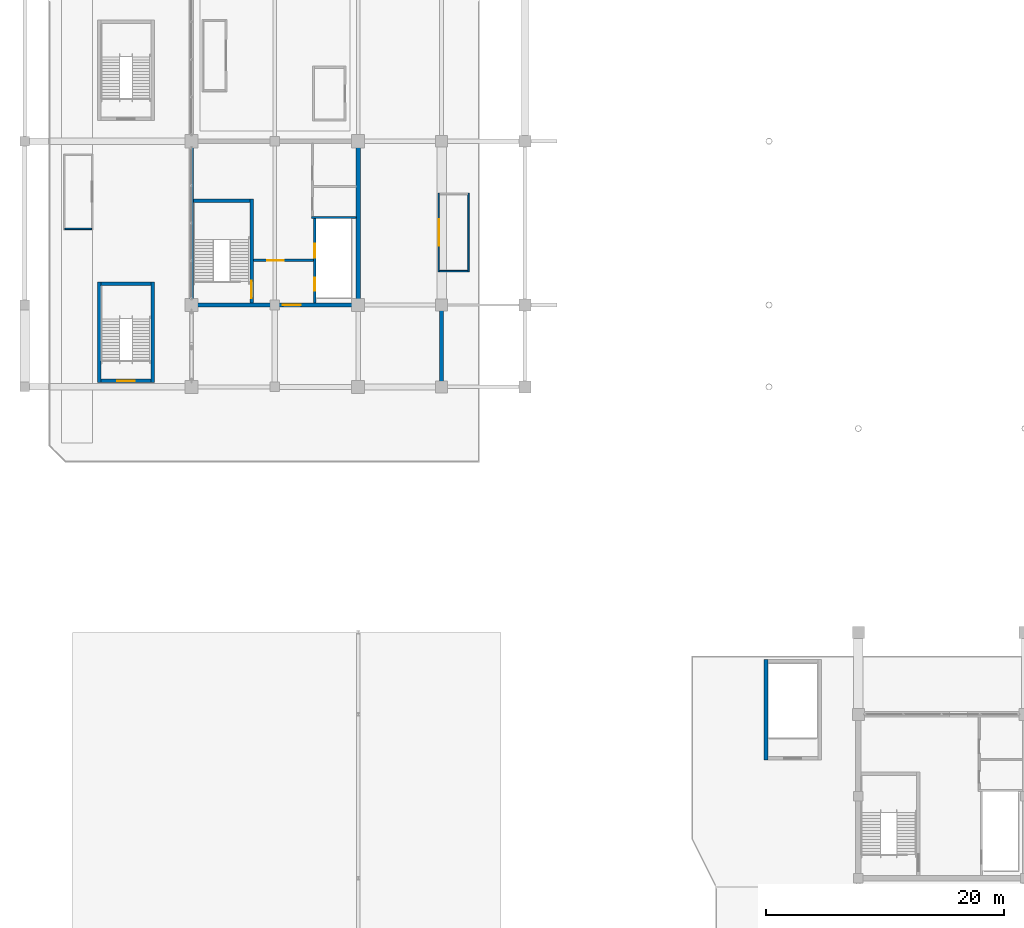
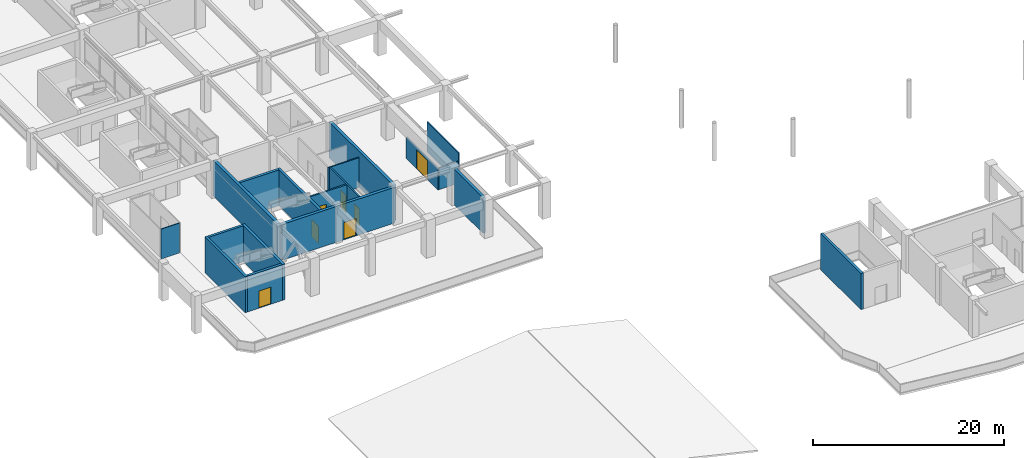
# One storey, part 63 of 91: 18 walls, 7 doors, 7 openings.
"""IFC4 building model written with IfcOpenShell, lengths in metres."""

from ifc_helpers import new_model, si_unit, direction, frame, frame_2d, origin, place, context, subcontext, project, spatial, rectangle, extrude, material, layer, layer_set, type_object, element, fill, save


model = new_model("IFC4")

# Units and contexts
model_context = context("Model", 3, precision=1e-05, world=origin(), true_north=direction((0.0, 1.0)))
body_context = subcontext(model_context, "Body", "Model", "MODEL_VIEW")
ifc_project = project(units=[si_unit("LENGTHUNIT", "METRE"), si_unit("AREAUNIT", "SQUARE_METRE"), si_unit("VOLUMEUNIT", "CUBIC_METRE"), si_unit("PLANEANGLEUNIT", "RADIAN"), si_unit("MASSUNIT", "GRAM", prefix="KILO")], contexts=[model_context])

# Site, building, storey
site_placement = place(None, origin())
site = spatial("IfcSite", under=ifc_project, at=site_placement, CompositionType="ELEMENT")
building_placement = place(site_placement, origin())
building = spatial("IfcBuilding", under=site, at=building_placement, Name="Linyun Crest Stadium", CompositionType="ELEMENT")
storey_placement = place(building_placement, frame((0.0, 0.0, 11.39990234375)))
storey = spatial("IfcBuildingStorey", under=building, at=storey_placement, Name="L03", CompositionType="ELEMENT", Elevation=11.39990234375)

# Walls
ifc_material_1 = material(Name="Concrete C50", Category="concrete")
ifc_layer_1 = layer(ifc_material_1, 0.35009765625)
ifc_layer_set_1 = layer_set([ifc_layer_1], Name="Concrete C50")
wall_type_1 = type_object("IfcWallType", Name="CW01", PredefinedType="SHEAR", material=ifc_layer_set_1)
for number, where, z_axis, x_axis, name in (
    (1, (-84.0, -38.949951171875, 0.0), (0.0, 0.0, 1.0), (0.0, 1.0, 0.0), "Core shear wall CW01 CORE-W1 L03.1"),
    (2, (-70.0, -38.949951171875, 0.0), (0.0, 0.0, 1.0), (0.0, 1.0, 0.0), "Core shear wall CW01 CORE-W1 L03.2"),
):
    element("IfcWall", number, at=place(storey_placement, frame(where, z_axis=z_axis, x_axis=x_axis)), inside=storey, type_object=wall_type_1, Name=name, PredefinedType="SHEAR", context=body_context, shape_type="SweptSolid", body=[
        extrude(rectangle(XDim=13.39990234375, YDim=0.35009765625, at=frame_2d((6.699951171875, 0.0))), origin(), (0.0, 0.0, 1.0), 4.580078125),
    ])

# Wall, opening, door
wall_1_placement = place(storey_placement, frame((-83.824951171875, -39.125, 0.0), z_axis=(0.0, 0.0, 1.0), x_axis=(1.0, 0.0, 0.0)))
wall_1 = element("IfcWall", 3, at=wall_1_placement, inside=storey, type_object=wall_type_1, Name="Core shear wall CW01 CORE-W1 L03.3", PredefinedType="SHEAR", context=body_context, shape_type="SweptSolid", body=[
    extrude(rectangle(XDim=13.64990234375, YDim=0.35009765625, at=frame_2d((6.824951171875, 0.0))), origin(), (0.0, 0.0, 1.0), 4.580078125),
])
opening_1_placement = place(wall_1_placement, frame((7.508056640625, 0.0, 0.0)))
opening_1 = element("IfcOpeningElement", 4, at=opening_1_placement, cuts=wall_1, Name="Opening D-L03-022", PredefinedType="OPENING", context=body_context, shape_type="SweptSolid", body=[
    extrude(rectangle(XDim=1.5, YDim=2.199951171875, at=frame_2d((0.75, 1.10009765625))), frame((0.0, 0.18505859375, 0.0), z_axis=(0.0, -1.0, 0.0), x_axis=(1.0, 0.0, 0.0)), (0.0, 0.0, 1.0), 0.3701171875),
])
ifc_material_2 = material(Name="Galvanized steel Class A fire door", Category="steel")
ifc_layer_2 = layer(ifc_material_2, 0.054931640625)
ifc_layer_set_2 = layer_set([ifc_layer_2], Name="Galvanized steel Class A fire door")
door_type_1 = type_object("IfcDoorType", Name="FD01", OperationType="NOTDEFINED", PredefinedType="DOOR", material=ifc_layer_set_2)
door_1_placement = place(opening_1_placement, origin())
door_1 = element("IfcDoor", 5, at=door_1_placement, inside=storey, type_object=door_type_1, Name="Door D-L03-022", OperationType="SINGLE_SWING_RIGHT", OverallHeight=2.199951171875, OverallWidth=1.5, PredefinedType="DOOR", context=body_context, shape_type="SweptSolid", body=[
    extrude(rectangle(XDim=1.5, YDim=2.199951171875, at=frame_2d((0.75, 1.10009765625))), frame((0.0, 0.02490234375, 0.0), z_axis=(0.0, -1.0, 0.0), x_axis=(1.0, 0.0, 0.0)), (0.0, 0.0, 1.0), 0.050048828125),
])
fill(opening_1, door_1)

ifc_material_3 = material(Name="Autoclaved aerated concrete block with fireboard", Category="concrete")
ifc_layer_3 = layer(ifc_material_3, 0.199951171875)
ifc_layer_set_3 = layer_set([ifc_layer_3], Name="Autoclaved aerated concrete block with fireboard")
wall_type_2 = type_object("IfcWallType", Name="PW11", PredefinedType="PARTITIONING", material=ifc_layer_set_3)
wall_2_placement = place(storey_placement, frame((-78.800048828125, -35.375, 0.0), z_axis=(0.0, 0.0, 1.0), x_axis=(1.0, 0.0, 0.0)))
wall_2 = element("IfcWall", 6, at=wall_2_placement, inside=storey, type_object=wall_type_2, Name="Partition PW11 L03 10", PredefinedType="PARTITIONING", context=body_context, shape_type="SweptSolid", body=[
    extrude(rectangle(XDim=5.06005859375, YDim=0.199951171875, at=frame_2d((2.530029296875, 0.0))), origin(), (0.0, 0.0, 1.0), 3.820068359375),
])
opening_2_placement = place(wall_2_placement, frame((1.169921875, 0.0, 0.0)))
opening_2 = element("IfcOpeningElement", 7, at=opening_2_placement, cuts=wall_2, Name="Opening D-L03-024", PredefinedType="OPENING", context=body_context, shape_type="SweptSolid", body=[
    extrude(rectangle(XDim=1.39990234375, YDim=2.199951171875, at=frame_2d((0.699951171875, 1.10009765625))), frame((0.0, 0.10986328125, 0.0), z_axis=(0.0, -1.0, 0.0), x_axis=(1.0, 0.0, 0.0)), (0.0, 0.0, 1.0), 0.219970703125),
])
ifc_material_4 = material(Name="Galvanized steel Class B fire door", Category="steel")
ifc_layer_4 = layer(ifc_material_4, 0.054931640625)
ifc_layer_set_4 = layer_set([ifc_layer_4], Name="Galvanized steel Class B fire door")
door_type_2 = type_object("IfcDoorType", Name="FD03", OperationType="NOTDEFINED", PredefinedType="DOOR", material=ifc_layer_set_4)
door_2_placement = place(opening_2_placement, origin())
door_2 = element("IfcDoor", 8, at=door_2_placement, inside=storey, type_object=door_type_2, Name="Door D-L03-024", OperationType="SINGLE_SWING_RIGHT", OverallHeight=2.199951171875, OverallWidth=1.39990234375, PredefinedType="DOOR", context=body_context, shape_type="SweptSolid", body=[
    extrude(rectangle(XDim=1.39990234375, YDim=2.199951171875, at=frame_2d((0.699951171875, 1.10009765625))), frame((0.0, 0.02490234375, 0.0), z_axis=(0.0, -1.0, 0.0), x_axis=(1.0, 0.0, 0.0)), (0.0, 0.0, 1.0), 0.050048828125),
])
fill(opening_2, door_2)

# Wall, openings, doors
ifc_material_5 = material(Name="Autoclaved aerated concrete block fire partition", Category="concrete")
ifc_layer_5 = layer(ifc_material_5, 0.179931640625)
ifc_layer_set_5 = layer_set([ifc_layer_5], Name="Autoclaved aerated concrete block fire partition")
wall_type_3 = type_object("IfcWallType", Name="PW12", PredefinedType="PARTITIONING", material=ifc_layer_set_5)
wall_3_placement = place(storey_placement, frame((-73.64990234375, -38.949951171875, 0.0), z_axis=(0.0, 0.0, 1.0), x_axis=(0.0, 1.0, 0.0)))
wall_3 = element("IfcWall", 9, at=wall_3_placement, inside=storey, type_object=wall_type_3, Name="Partition PW12 L03 11", PredefinedType="PARTITIONING", context=body_context, shape_type="SweptSolid", body=[
    extrude(rectangle(XDim=7.10498046875, YDim=0.179931640625, at=frame_2d((3.552490234375, 0.0))), origin(), (0.0, 0.0, 1.0), 3.820068359375),
])
opening_3_placement = place(wall_3_placement, frame((1.02490234375, 0.0, 0.0)))
opening_3 = element("IfcOpeningElement", 10, at=opening_3_placement, cuts=wall_3, Name="Opening LD007", PredefinedType="OPENING", context=body_context, shape_type="SweptSolid", body=[
    extrude(rectangle(XDim=1.10009765625, YDim=2.199951171875, at=frame_2d((0.550048828125, 1.10009765625))), frame((0.0, 0.099853515625, 0.0), z_axis=(0.0, -1.0, 0.0), x_axis=(1.0, 0.0, 0.0)), (0.0, 0.0, 1.0), 0.199951171875),
])
opening_4_placement = place(wall_3_placement, frame((3.77490234375, 0.0, 0.0)))
opening_4 = element("IfcOpeningElement", 11, at=opening_4_placement, cuts=wall_3, Name="Opening LD008", PredefinedType="OPENING", context=body_context, shape_type="SweptSolid", body=[
    extrude(rectangle(XDim=1.199951171875, YDim=2.25, at=frame_2d((0.60009765625, 1.125))), frame((0.0, 0.099853515625, 0.0), z_axis=(0.0, -1.0, 0.0), x_axis=(1.0, 0.0, 0.0)), (0.0, 0.0, 1.0), 0.199951171875),
])
ifc_material_6 = material(Name="Brushed stainless sliding lift door")
ifc_layer_6 = layer(ifc_material_6, 0.050048828125)
ifc_layer_set_6 = layer_set([ifc_layer_6], Name="Brushed stainless sliding lift door")
door_type_3 = type_object("IfcDoorType", Name="LD01", OperationType="NOTDEFINED", PredefinedType="DOOR", material=ifc_layer_set_6)
door_3_placement = place(opening_3_placement, origin())
door_3 = element("IfcDoor", 12, at=door_3_placement, inside=storey, type_object=door_type_3, Name="Lift landing door LD007", OperationType="DOUBLE_DOOR_SLIDING", OverallHeight=2.199951171875, OverallWidth=1.10009765625, PredefinedType="DOOR", context=body_context, shape_type="SweptSolid", body=[
    extrude(rectangle(XDim=1.10009765625, YDim=2.199951171875, at=frame_2d((0.550048828125, 1.10009765625))), frame((0.0, 0.02490234375, 0.0), z_axis=(0.0, -1.0, 0.0), x_axis=(1.0, 0.0, 0.0)), (0.0, 0.0, 1.0), 0.050048828125),
])
fill(opening_3, door_3)
ifc_material_7 = material(Name="Brushed stainless sliding lift door")
ifc_layer_7 = layer(ifc_material_7, 0.050048828125)
ifc_layer_set_7 = layer_set([ifc_layer_7], Name="Brushed stainless sliding lift door")
door_type_4 = type_object("IfcDoorType", Name="LD02", OperationType="NOTDEFINED", PredefinedType="DOOR", material=ifc_layer_set_7)
door_4_placement = place(opening_4_placement, origin())
door_4 = element("IfcDoor", 13, at=door_4_placement, inside=storey, type_object=door_type_4, Name="Lift landing door LD008", OperationType="DOUBLE_DOOR_SLIDING", OverallHeight=2.25, OverallWidth=1.199951171875, PredefinedType="DOOR", context=body_context, shape_type="SweptSolid", body=[
    extrude(rectangle(XDim=1.199951171875, YDim=2.25, at=frame_2d((0.60009765625, 1.125))), frame((0.0, 0.02490234375, 0.0), z_axis=(0.0, -1.0, 0.0), x_axis=(1.0, 0.0, 0.0)), (0.0, 0.0, 1.0), 0.050048828125),
])
fill(opening_4, door_4)

# Walls
ifc_material_8 = material(Name="Moisture-resistant ceramic-tiled wet-room wall")
ifc_layer_8 = layer(ifc_material_8, 0.139892578125)
ifc_layer_set_8 = layer_set([ifc_layer_8], Name="Moisture-resistant ceramic-tiled wet-room wall")
wall_type_4 = type_object("IfcWallType", Name="PW15", PredefinedType="PARTITIONING", material=ifc_layer_set_8)
wall_4_placement = place(storey_placement, frame((-73.919921875, -31.77490234375, 0.0), z_axis=(0.0, 0.0, 1.0), x_axis=(1.0, 0.0, 0.0)))
element("IfcWall", 14, at=wall_4_placement, inside=storey, type_object=wall_type_4, Name="Enclosure partition PW15 L03 7", PredefinedType="PARTITIONING", context=body_context, shape_type="SweptSolid", body=[
    extrude(rectangle(XDim=3.744873046875, YDim=0.139892578125, at=frame_2d((1.87255859375, 0.0))), origin(), (0.0, 0.0, 1.0), 3.820068359375),
])
ifc_material_9 = material(Name="Glazed hospitality salon screen partition")
ifc_layer_9 = layer(ifc_material_9, 0.114990234375)
ifc_layer_set_9 = layer_set([ifc_layer_9], Name="Glazed hospitality salon screen partition")
wall_type_5 = type_object("IfcWallType", Name="PW21", PredefinedType="PARTITIONING", material=ifc_layer_set_9)
wall_5_placement = place(storey_placement, frame((-94.625, -32.72705078125, 0.0), z_axis=(0.0, 0.0, 1.0), x_axis=(1.0, 0.0, 0.0)))
element("IfcWall", 15, at=wall_5_placement, inside=storey, type_object=wall_type_5, Name="Enclosure partition PW21 L03 320", PredefinedType="PARTITIONING", context=body_context, shape_type="SweptSolid", body=[
    extrude(rectangle(XDim=2.23388671875, YDim=0.114990234375, at=frame_2d((1.116943359375, 0.0))), origin(), (0.0, 0.0, 1.0), 3.820068359375),
])

# Wall, opening, door
ifc_material_10 = material(Name="Acoustic commentary booth partition")
ifc_layer_10 = layer(ifc_material_10, 0.1298828125)
ifc_layer_set_10 = layer_set([ifc_layer_10], Name="Acoustic commentary booth partition")
wall_type_6 = type_object("IfcWallType", Name="PW22", PredefinedType="PARTITIONING", material=ifc_layer_set_10)
wall_6_placement = place(storey_placement, frame((-63.217041015625, -36.35009765625, 0.0), z_axis=(0.0, 0.0, 1.0), x_axis=(0.0, 1.0, 0.0)))
wall_6 = element("IfcWall", 16, at=wall_6_placement, inside=storey, type_object=wall_type_6, Name="Partition PW22 L03 202", PredefinedType="PARTITIONING", context=body_context, shape_type="SweptSolid", body=[
    extrude(rectangle(XDim=6.630126953125, YDim=0.1298828125, at=frame_2d((3.31494140625, 0.0))), origin(), (0.0, 0.0, 1.0), 2.755126953125),
])
opening_5_placement = place(wall_6_placement, frame((2.18994140625, 0.0, 0.0)))
opening_5 = element("IfcOpeningElement", 17, at=opening_5_placement, cuts=wall_6, Name="Opening D-L03-465", PredefinedType="OPENING", context=body_context, shape_type="SweptSolid", body=[
    extrude(rectangle(XDim=2.25, YDim=2.449951171875, at=frame_2d((1.125, 1.22509765625))), frame((0.0, 0.074951171875, 0.0), z_axis=(0.0, -1.0, 0.0), x_axis=(1.0, 0.0, 0.0)), (0.0, 0.0, 1.0), 0.14990234375),
])
ifc_material_11 = material(Name="Double-leaf anodized aluminium door", Category="aluminium")
ifc_layer_11 = layer(ifc_material_11, 0.054931640625)
ifc_layer_set_11 = layer_set([ifc_layer_11], Name="Double-leaf anodized aluminium door")
door_type_5 = type_object("IfcDoorType", Name="ID10", OperationType="NOTDEFINED", PredefinedType="DOOR", material=ifc_layer_set_11)
door_5_placement = place(opening_5_placement, origin())
door_5 = element("IfcDoor", 18, at=door_5_placement, inside=storey, type_object=door_type_5, Name="Door D-L03-465", OperationType="DOUBLE_DOOR_SINGLE_SWING", OverallHeight=2.449951171875, OverallWidth=2.25, PredefinedType="DOOR", context=body_context, shape_type="SweptSolid", body=[
    extrude(rectangle(XDim=2.25, YDim=2.449951171875, at=frame_2d((1.125, 1.22509765625))), frame((0.0, 0.02490234375, 0.0), z_axis=(0.0, -1.0, 0.0), x_axis=(1.0, 0.0, 0.0)), (0.0, 0.0, 1.0), 0.050048828125),
])
fill(opening_5, door_5)

# Walls
wall_7_placement = place(storey_placement, frame((-60.717041015625, -36.35009765625, 0.0), z_axis=(0.0, 0.0, 1.0), x_axis=(0.0, 1.0, 0.0)))
element("IfcWall", 19, at=wall_7_placement, inside=storey, type_object=wall_type_6, Name="Enclosure partition PW22 L03 322", PredefinedType="PARTITIONING", context=body_context, shape_type="SweptSolid", body=[
    extrude(rectangle(XDim=6.630126953125, YDim=0.1298828125, at=frame_2d((3.31494140625, 0.0))), origin(), (0.0, 0.0, 1.0), 3.820068359375),
])
wall_8_placement = place(storey_placement, frame((-63.152099609375, -36.284912109375, 0.0), z_axis=(0.0, 0.0, 1.0), x_axis=(1.0, 0.0, 0.0)))
element("IfcWall", 20, at=wall_8_placement, inside=storey, type_object=wall_type_6, Name="Enclosure partition PW22 L03 323", PredefinedType="PARTITIONING", context=body_context, shape_type="SweptSolid", body=[
    extrude(rectangle(XDim=2.3701171875, YDim=0.1298828125, at=frame_2d((1.18505859375, 0.0))), origin(), (0.0, 0.0, 1.0), 2.755126953125),
])
ifc_material_12 = material(Name="Concrete C50", Category="concrete")
ifc_layer_12 = layer(ifc_material_12, 0.300048828125)
ifc_layer_set_12 = layer_set([ifc_layer_12], Name="Concrete C50")
wall_type_7 = type_object("IfcWallType", Name="SW01", PredefinedType="SHEAR", material=ifc_layer_set_12)
wall_9_placement = place(storey_placement, frame((-63.0, -45.550048828125, 0.0), z_axis=(0.0, 0.0, 1.0), x_axis=(0.0, 1.0, 0.0)))
element("IfcWall", 21, at=wall_9_placement, inside=storey, type_object=wall_type_7, Name="Shear wall SW01 L03 304", PredefinedType="SHEAR", context=body_context, shape_type="SweptSolid", body=[
    extrude(rectangle(XDim=6.050048828125, YDim=0.300048828125, at=frame_2d((3.02490234375, 0.0))), origin(), (0.0, 0.0, 1.0), 4.580078125),
])

# Wall, opening, door
wall_10_placement = place(storey_placement, frame((-78.949951171875, -38.949951171875, 0.0), z_axis=(0.0, 0.0, 1.0), x_axis=(0.0, 1.0, 0.0)))
wall_10 = element("IfcWall", 22, at=wall_10_placement, inside=storey, type_object=wall_type_7, Name="Core stair east bearing wall SW01 1 L03", PredefinedType="SHEAR", context=body_context, shape_type="SweptSolid", body=[
    extrude(rectangle(XDim=8.724853515625, YDim=0.300048828125, at=frame_2d((4.3623046875, 0.0))), origin(), (0.0, 0.0, 1.0), 4.580078125),
])
opening_6_placement = place(wall_10_placement, frame((0.39501953125, 0.0, 0.0)))
opening_6 = element("IfcOpeningElement", 23, at=opening_6_placement, cuts=wall_10, Name="Opening D-L03-023", PredefinedType="OPENING", context=body_context, shape_type="SweptSolid", body=[
    extrude(rectangle(XDim=1.449951171875, YDim=2.199951171875, at=frame_2d((0.72509765625, 1.10009765625))), frame((0.0, 0.159912109375, 0.0), z_axis=(0.0, -1.0, 0.0), x_axis=(1.0, 0.0, 0.0)), (0.0, 0.0, 1.0), 0.320068359375),
])
ifc_material_13 = material(Name="Galvanized steel Class A fire door", Category="steel")
ifc_layer_13 = layer(ifc_material_13, 0.054931640625)
ifc_layer_set_13 = layer_set([ifc_layer_13], Name="Galvanized steel Class A fire door")
door_type_6 = type_object("IfcDoorType", Name="FD02", OperationType="NOTDEFINED", PredefinedType="DOOR", material=ifc_layer_set_13)
door_6_placement = place(opening_6_placement, origin())
door_6 = element("IfcDoor", 24, at=door_6_placement, inside=storey, type_object=door_type_6, Name="Door D-L03-023", OperationType="SINGLE_SWING_LEFT", OverallHeight=2.199951171875, OverallWidth=1.449951171875, PredefinedType="DOOR", context=body_context, shape_type="SweptSolid", body=[
    extrude(rectangle(XDim=1.449951171875, YDim=2.199951171875, at=frame_2d((0.72509765625, 1.10009765625))), frame((0.0, 0.02490234375, 0.0), z_axis=(0.0, -1.0, 0.0), x_axis=(1.0, 0.0, 0.0)), (0.0, 0.0, 1.0), 0.050048828125),
])
fill(opening_6, door_6)

# Wall
wall_11_placement = place(storey_placement, frame((-83.824951171875, -30.375, 0.0), z_axis=(0.0, 0.0, 1.0), x_axis=(1.0, 0.0, 0.0)))
element("IfcWall", 25, at=wall_11_placement, inside=storey, type_object=wall_type_7, Name="Core stair bearing wall SW01 1 L03", PredefinedType="SHEAR", context=body_context, shape_type="SweptSolid", body=[
    extrude(rectangle(XDim=4.724853515625, YDim=0.300048828125, at=frame_2d((2.3623046875, 0.0))), origin(), (0.0, 0.0, 1.0), 4.580078125),
])

# Wall, opening, door
wall_12_placement = place(storey_placement, frame((-91.60009765625, -45.5, 0.0), z_axis=(0.0, 0.0, 1.0), x_axis=(1.0, 0.0, 0.0)))
wall_12 = element("IfcWall", 26, at=wall_12_placement, inside=storey, type_object=wall_type_7, Name="Stair shaft wall SW01 STR-13 L03 S", PredefinedType="SHEAR", context=body_context, shape_type="SweptSolid", body=[
    extrude(rectangle(XDim=4.2001953125, YDim=0.300048828125, at=frame_2d((2.10009765625, 0.0))), origin(), (0.0, 0.0, 1.0), 4.580078125),
])
opening_7_placement = place(wall_12_placement, frame((1.375, 0.0, 0.0)))
opening_7 = element("IfcOpeningElement", 27, at=opening_7_placement, cuts=wall_12, Name="Opening D-L03-543", PredefinedType="OPENING", context=body_context, shape_type="SweptSolid", body=[
    extrude(rectangle(XDim=1.449951171875, YDim=2.199951171875, at=frame_2d((0.72509765625, 1.10009765625))), frame((0.0, 0.159912109375, 0.0), z_axis=(0.0, -1.0, 0.0), x_axis=(1.0, 0.0, 0.0)), (0.0, 0.0, 1.0), 0.320068359375),
])
door_7_placement = place(opening_7_placement, origin())
door_7 = element("IfcDoor", 28, at=door_7_placement, inside=storey, type_object=door_type_6, Name="Door D-L03-543", OperationType="SINGLE_SWING_LEFT", OverallHeight=2.199951171875, OverallWidth=1.449951171875, PredefinedType="DOOR", context=body_context, shape_type="SweptSolid", body=[
    extrude(rectangle(XDim=1.449951171875, YDim=2.199951171875, at=frame_2d((0.72509765625, 1.10009765625))), frame((0.0, 0.02490234375, 0.0), z_axis=(0.0, -1.0, 0.0), x_axis=(1.0, 0.0, 0.0)), (0.0, 0.0, 1.0), 0.050048828125),
])
fill(opening_7, door_7)

# Walls
wall_13_placement = place(storey_placement, frame((-91.60009765625, -37.35009765625, 0.0), z_axis=(0.0, 0.0, 1.0), x_axis=(1.0, 0.0, 0.0)))
element("IfcWall", 29, at=wall_13_placement, inside=storey, type_object=wall_type_7, Name="Stair shaft wall SW01 STR-13 L03 N", PredefinedType="SHEAR", context=body_context, shape_type="SweptSolid", body=[
    extrude(rectangle(XDim=4.2001953125, YDim=0.300048828125, at=frame_2d((2.10009765625, 0.0))), origin(), (0.0, 0.0, 1.0), 4.580078125),
])
for number, where, z_axis, x_axis, name in (
    (30, (-91.75, -45.64990234375, 0.0), (0.0, 0.0, 1.0), (0.0, 1.0, 0.0), "Stair shaft wall SW01 STR-13 L03 W"),
    (31, (-87.25, -45.64990234375, 0.0), (0.0, 0.0, 1.0), (0.0, 1.0, 0.0), "Stair shaft wall SW01 STR-13 L03 E"),
):
    element("IfcWall", number, at=place(storey_placement, frame(where, z_axis=z_axis, x_axis=x_axis)), inside=storey, type_object=wall_type_7, Name=name, PredefinedType="SHEAR", context=body_context, shape_type="SweptSolid", body=[
        extrude(rectangle(XDim=8.449951171875, YDim=0.300048828125, at=frame_2d((4.22509765625, 0.0))), origin(), (0.0, 0.0, 1.0), 4.580078125),
    ])
wall_14_placement = place(storey_placement, frame((-35.75, -77.35009765625, 0.0), z_axis=(0.0, 0.0, 1.0), x_axis=(0.0, 1.0, 0.0)))
element("IfcWall", 32, at=wall_14_placement, inside=storey, type_object=wall_type_7, Name="Stair shaft wall SW01 STR-27 L03 W", PredefinedType="SHEAR", context=body_context, shape_type="SweptSolid", body=[
    extrude(rectangle(XDim=8.4501953125, YDim=0.300048828125, at=frame_2d((4.22509765625, 0.0))), origin(), (0.0, 0.0, 1.0), 4.6201171875),
])

save(model, "model.ifc")
